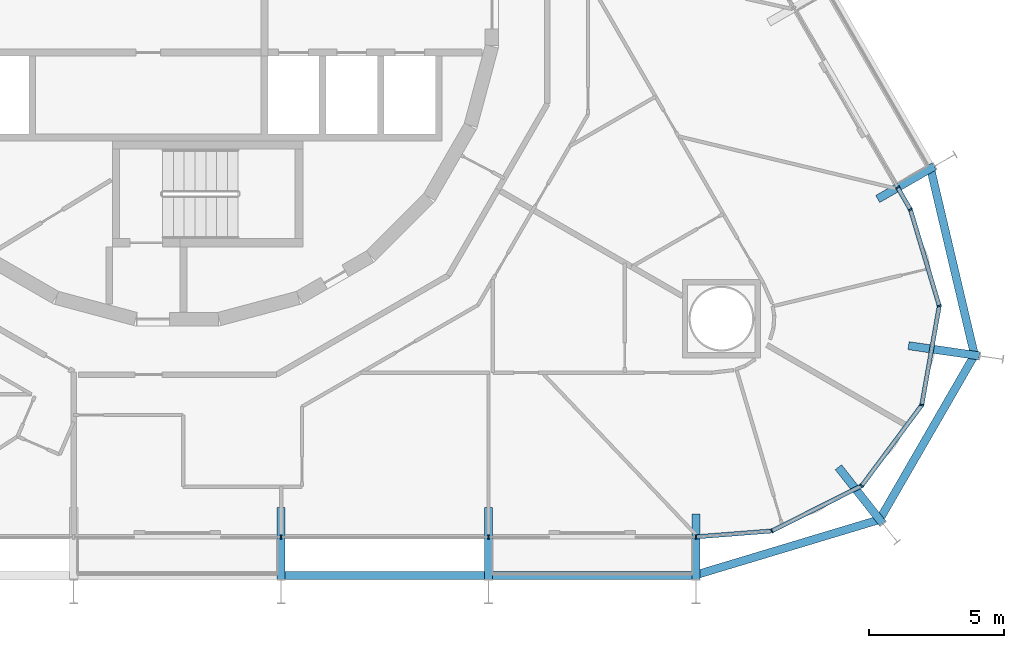
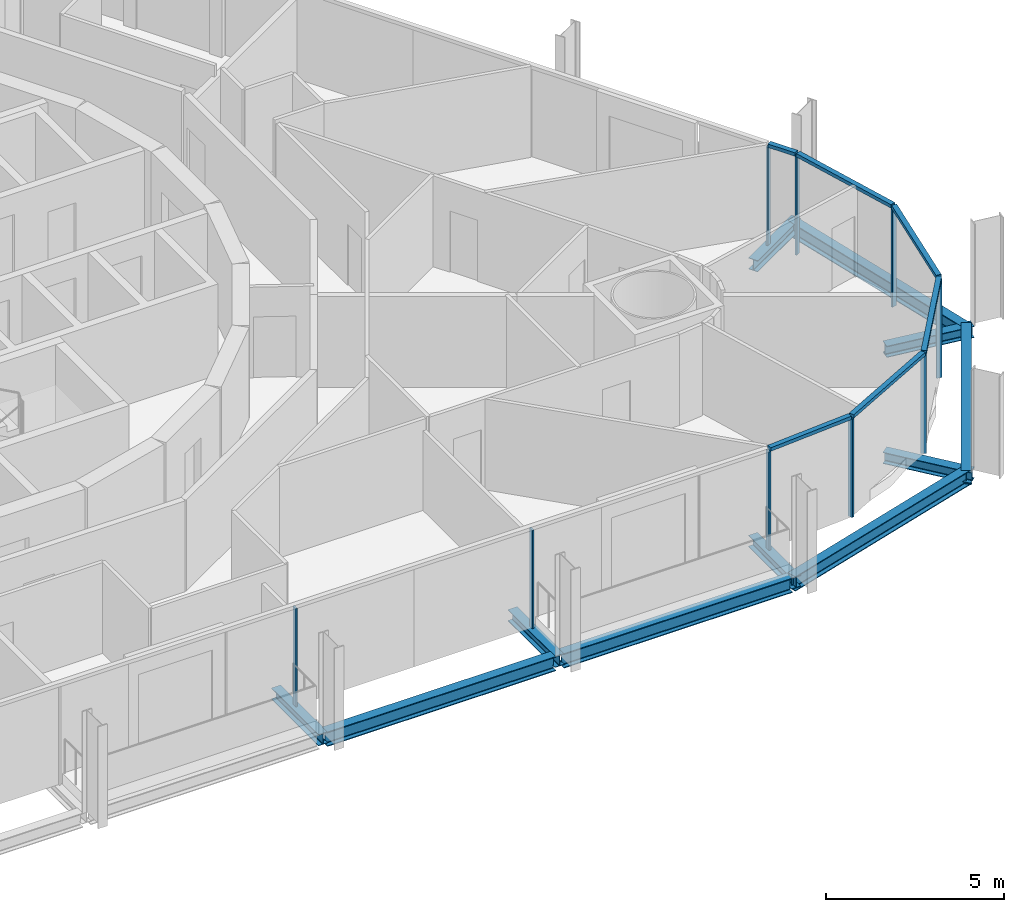
# One storey, part 6 of 21: 15 members, 11 beams, 3 elements without a shape of their own.
"""IFC4 building model written with IfcOpenShell, lengths in metres."""

from ifc_helpers import new_model, si_unit, direction, frame, origin, origin_2d, place, context, subcontext, project, spatial, rectangle, i_section, extrude, material, layer, layer_set, material_profile, profile_set, type_object, element, aggregate, save


model = new_model("IFC4")

# Units and contexts
model_context = context("Model", 3, precision=1e-05, world=origin(), true_north=direction((0.0, 1.0)))
body_context = subcontext(model_context, "Body", "Model", "MODEL_VIEW")
ifc_project = project(units=[si_unit("LENGTHUNIT", "METRE"), si_unit("AREAUNIT", "SQUARE_METRE"), si_unit("VOLUMEUNIT", "CUBIC_METRE"), si_unit("PLANEANGLEUNIT", "RADIAN"), si_unit("MASSUNIT", "GRAM", prefix="KILO")], contexts=[model_context])

# Site, building, storey
site_placement = place(None, origin())
site = spatial("IfcSite", under=ifc_project, at=site_placement, CompositionType="ELEMENT")
building_placement = place(site_placement, origin())
building = spatial("IfcBuilding", under=site, at=building_placement, Name="Spindle Arch Residences", CompositionType="ELEMENT")
storey_placement = place(building_placement, frame((0.0, 0.0, 55.89990234375)))
storey = spatial("IfcBuildingStorey", under=building, at=storey_placement, Name="L12", CompositionType="ELEMENT", Elevation=55.89990234375)

# Curtain wall, members
ifc_material_1 = material(Name="Aluminium bronze unitised frame with tinted glass", Category="aluminium")
ifc_layer_1 = layer(ifc_material_1, 0.159912109375)
ifc_layer_set_1 = layer_set([ifc_layer_1], Name="CW-D corner wall on the fillet arcs")
curtain_wall_type_1 = type_object("IfcCurtainWallType", Name="CW-D corner wall on the fillet arcs", PredefinedType="NOTDEFINED", material=ifc_layer_set_1)
curtain_wall_1_placement = place(storey_placement, origin())
curtain_wall_1 = element("IfcCurtainWall", 1, at=curtain_wall_1_placement, inside=storey, type_object=curtain_wall_type_1, Name="CW-D L12 run 1", PredefinedType="NOTDEFINED")
ifc_material_2 = material(Name="Aluminium bronze anodised mullion", Category="aluminium")
ifc_material_profile_1 = material_profile(ifc_material_2, rectangle(XDim=0.159912109375, YDim=0.06005859375, at=origin_2d()), Name="MU 60x160")
ifc_profile_set_1 = profile_set([ifc_material_profile_1], Name="Aluminium bronze anodised mullion")
member_type_1 = type_object("IfcMemberType", Name="Bronze mullion 60x160", PredefinedType="MULLION", material=ifc_profile_set_1)
member_1_placement = place(storey_placement, frame((19.2001953125, -19.7099609375, -0.3798828125), z_axis=(0.0, 0.0, 1.0), x_axis=(-0.077364085451, 0.997002907861, 0.0)))
member_1 = element("IfcMember", 2, at=member_1_placement, type_object=member_type_1, Name="CW-D mullion 00", PredefinedType="MULLION", context=body_context, shape_type="SweptSolid", body=[
    extrude(rectangle(XDim=0.159912109375, YDim=0.06005859375, at=origin_2d()), origin(), (0.0, 0.0, 1.0), 3.3798828125),
])
member_2_placement = place(storey_placement, frame((22.007080078125, -19.4921875, -0.3798828125), z_axis=(0.0, 0.0, 1.0), x_axis=(-0.448799176213, 0.893632642326, 0.0)))
member_2 = element("IfcMember", 3, at=member_2_placement, type_object=member_type_1, Name="CW-D mullion 01", PredefinedType="MULLION", context=body_context, shape_type="SweptSolid", body=[
    extrude(rectangle(XDim=0.159912109375, YDim=0.06005859375, at=origin_2d()), origin(), (0.0, 0.0, 1.0), 3.3798828125),
])
member_3_placement = place(storey_placement, frame((25.33740234375, -17.819580078125, -0.3798828125), z_axis=(0.0, 0.0, 1.0), x_axis=(-0.802123189687, 0.597158595823, 0.0)))
member_3 = element("IfcMember", 4, at=member_3_placement, type_object=member_type_1, Name="CW-D mullion 02", PredefinedType="MULLION", context=body_context, shape_type="SweptSolid", body=[
    extrude(rectangle(XDim=0.159912109375, YDim=0.06005859375, at=origin_2d()), origin(), (0.0, 0.0, 1.0), 3.3798828125),
])
member_4_placement = place(storey_placement, frame((27.562744140625, -14.830322265625, -0.3798828125), z_axis=(0.0, 0.0, 1.0), x_axis=(-0.984807752421, 0.173648181019, 0.0)))
member_4 = element("IfcMember", 5, at=member_4_placement, type_object=member_type_1, Name="CW-D mullion 03", PredefinedType="MULLION", context=body_context, shape_type="SweptSolid", body=[
    extrude(rectangle(XDim=0.159912109375, YDim=0.06005859375, at=origin_2d()), origin(), (0.0, 0.0, 1.0), 3.3798828125),
])
member_5_placement = place(storey_placement, frame((28.2099609375, -11.16015625, -0.3798828125), z_axis=(0.0, 0.0, 1.0), x_axis=(-0.957989512975, -0.28680323051, 0.0)))
member_5 = element("IfcMember", 6, at=member_5_placement, type_object=member_type_1, Name="CW-D mullion 04", PredefinedType="MULLION", context=body_context, shape_type="SweptSolid", body=[
    extrude(rectangle(XDim=0.159912109375, YDim=0.06005859375, at=origin_2d()), origin(), (0.0, 0.0, 1.0), 3.3798828125),
])
member_6_placement = place(storey_placement, frame((27.14111328125, -7.58984375, -0.3798828125), z_axis=(0.0, 0.0, 1.0), x_axis=(-0.866025403784, -0.5, 0.0)))
member_6 = element("IfcMember", 7, at=member_6_placement, type_object=member_type_1, Name="CW-D mullion 05", PredefinedType="MULLION", context=body_context, shape_type="SweptSolid", body=[
    extrude(rectangle(XDim=0.159912109375, YDim=0.06005859375, at=origin_2d()), origin(), (0.0, 0.0, 1.0), 3.3798828125),
])

# Curtain wall, member
ifc_material_3 = material(Name="Aluminium bronze unitised frame with tinted glass", Category="aluminium")
ifc_layer_2 = layer(ifc_material_3, 0.159912109375)
ifc_layer_set_2 = layer_set([ifc_layer_2], Name="CW-C typical residential unitised wall")
curtain_wall_type_2 = type_object("IfcCurtainWallType", Name="CW-C typical residential unitised wall", PredefinedType="NOTDEFINED", material=ifc_layer_set_2)
curtain_wall_2_placement = place(storey_placement, origin())
curtain_wall_2 = element("IfcCurtainWall", 8, at=curtain_wall_2_placement, inside=storey, type_object=curtain_wall_type_2, Name="CW-C L12 run 2", PredefinedType="NOTDEFINED")
member_7_placement = place(storey_placement, frame((26.66943359375, -6.77294921875, -0.3798828125), z_axis=(0.0, 0.0, 1.0), x_axis=(-0.866025403784, -0.5, 0.0)))
member_7 = element("IfcMember", 9, at=member_7_placement, type_object=member_type_1, Name="CW-C mullion 05", PredefinedType="MULLION", context=body_context, shape_type="SweptSolid", body=[
    extrude(rectangle(XDim=0.159912109375, YDim=0.06005859375, at=origin_2d()), origin(), (0.0, 0.0, 1.0), 3.3798828125),
])
aggregate(curtain_wall_2, [member_7])

# Curtain wall, members
curtain_wall_3_placement = place(storey_placement, origin())
curtain_wall_3 = element("IfcCurtainWall", 10, at=curtain_wall_3_placement, inside=storey, type_object=curtain_wall_type_2, Name="CW-C L12 run 6", PredefinedType="NOTDEFINED")
member_8_placement = place(storey_placement, frame((3.840087890625, -19.7099609375, -0.3798828125), z_axis=(0.0, 0.0, 1.0), x_axis=(0.0, 1.0, 0.0)))
member_8 = element("IfcMember", 11, at=member_8_placement, type_object=member_type_1, Name="CW-C mullion 00", PredefinedType="MULLION", context=body_context, shape_type="SweptSolid", body=[
    extrude(rectangle(XDim=0.159912109375, YDim=0.06005859375, at=origin_2d()), origin(), (0.0, 0.0, 1.0), 3.3798828125),
])
member_9_placement = place(storey_placement, frame((11.52001953125, -19.7099609375, -0.3798828125), z_axis=(0.0, 0.0, 1.0), x_axis=(0.0, 1.0, 0.0)))
member_9 = element("IfcMember", 12, at=member_9_placement, type_object=member_type_1, Name="CW-C mullion 01", PredefinedType="MULLION", context=body_context, shape_type="SweptSolid", body=[
    extrude(rectangle(XDim=0.159912109375, YDim=0.06005859375, at=origin_2d()), origin(), (0.0, 0.0, 1.0), 3.3798828125),
])
aggregate(curtain_wall_3, [member_8, member_9])

# Member
ifc_material_4 = material(Name="Aluminium bronze anodised transom", Category="aluminium")
ifc_material_profile_2 = material_profile(ifc_material_4, rectangle(XDim=0.159912109375, YDim=0.1201171875, at=origin_2d()), Name="TR 120x160")
ifc_profile_set_2 = profile_set([ifc_material_profile_2], Name="Aluminium bronze anodised transom")
member_type_2 = type_object("IfcMemberType", Name="Bronze transom 120x160", PredefinedType="USERDEFINED", material=ifc_profile_set_2)
member_10_placement = place(storey_placement, frame((19.22998046875, -19.70751953125, 3.06005859375), z_axis=(0.997003710875, 0.077353736189, 0.0), x_axis=(-0.077353736189, 0.997003710875, 0.0)))
member_10 = element("IfcMember", 13, at=member_10_placement, type_object=member_type_2, Name="CW-D transom 00", ObjectType="TRANSOM", PredefinedType="USERDEFINED", context=body_context, shape_type="SweptSolid", body=[
    extrude(rectangle(XDim=0.159912109375, YDim=0.1201171875, at=origin_2d()), origin(), (0.0, 0.0, 1.0), 2.75537109375),
])

member_11_placement = place(storey_placement, frame((22.03369140625, -19.478759765625, 3.06005859375), z_axis=(0.893626812559, 0.448810784046, 0.0), x_axis=(-0.448810784046, 0.893626812559, 0.0)))
member_11 = element("IfcMember", 14, at=member_11_placement, type_object=member_type_2, Name="CW-D transom 01", ObjectType="TRANSOM", PredefinedType="USERDEFINED", context=body_context, shape_type="SweptSolid", body=[
    extrude(rectangle(XDim=0.159912109375, YDim=0.1201171875, at=origin_2d()), origin(), (0.0, 0.0, 1.0), 3.6669921875),
])

member_12_placement = place(storey_placement, frame((25.355224609375, -17.79541015625, 3.06005859375), z_axis=(0.597173190998, 0.802112323776, 0.0), x_axis=(-0.802112323776, 0.597173190998, 0.0)))
member_12 = element("IfcMember", 15, at=member_12_placement, type_object=member_type_2, Name="CW-D transom 02", ObjectType="TRANSOM", PredefinedType="USERDEFINED", context=body_context, shape_type="SweptSolid", body=[
    extrude(rectangle(XDim=0.159912109375, YDim=0.1201171875, at=origin_2d()), origin(), (0.0, 0.0, 1.0), 3.666748046875),
])

member_13_placement = place(storey_placement, frame((27.56787109375, -14.80078125, 3.06005859375), z_axis=(0.173709368694, 0.984796961423, 0.0), x_axis=(-0.984796961423, 0.173709368694, 0.0)))
member_13 = element("IfcMember", 16, at=member_13_placement, type_object=member_type_2, Name="CW-D transom 03", ObjectType="TRANSOM", PredefinedType="USERDEFINED", context=body_context, shape_type="SweptSolid", body=[
    extrude(rectangle(XDim=0.159912109375, YDim=0.1201171875, at=origin_2d()), origin(), (0.0, 0.0, 1.0), 3.666748046875),
])

member_14_placement = place(storey_placement, frame((28.201416015625, -11.13134765625, 3.06005859375), z_axis=(-0.286834736274, 0.957980080203, 0.0), x_axis=(-0.957980080203, -0.286834736274, 0.0)))
member_14 = element("IfcMember", 17, at=member_14_placement, type_object=member_type_2, Name="CW-D transom 04", ObjectType="TRANSOM", PredefinedType="USERDEFINED", context=body_context, shape_type="SweptSolid", body=[
    extrude(rectangle(XDim=0.159912109375, YDim=0.1201171875, at=origin_2d()), origin(), (0.0, 0.0, 1.0), 3.666748046875),
])

member_15_placement = place(storey_placement, frame((27.1259765625, -7.56396484375, 3.06005859375), z_axis=(-0.499913830031, 0.866075148324, 0.0), x_axis=(-0.866075148324, -0.499913830031, 0.0)))
member_15 = element("IfcMember", 18, at=member_15_placement, type_object=member_type_2, Name="CW-D transom 05", ObjectType="TRANSOM", PredefinedType="USERDEFINED", context=body_context, shape_type="SweptSolid", body=[
    extrude(rectangle(XDim=0.159912109375, YDim=0.1201171875, at=origin_2d()), origin(), (0.0, 0.0, 1.0), 0.883544921875),
])

aggregate(curtain_wall_1, [member_1, member_10, member_2, member_11, member_3, member_12, member_4, member_13, member_5, member_14, member_6, member_15])

# Beams
ifc_material_5 = material(Name="Steel S460ML, intumescent coating R 120", Category="steel")
ifc_material_profile_3 = material_profile(ifc_material_5, i_section(OverallWidth=0.300048828125, OverallDepth=0.5, WebThickness=0.014404296875, FlangeThickness=0.028076171875, FilletRadius=0.027099609375, at=origin_2d()), Name="HEB 500")
ifc_profile_set_3 = profile_set([ifc_material_profile_3], Name="Steel S460ML, intumescent coating R 120")
beam_type_1 = type_object("IfcBeamType", Name="Exoskeleton edge beam HEB 500", PredefinedType="BEAM", material=ifc_profile_set_3)
for number, where, z_axis, x_axis, name in (
    (19, (3.969970703125, -21.142822265625, -0.6298828125), (1.0, 0.0, 0.0), (0.0, 1.0, 0.0), "Exoskeleton edge beam 1"),
    (20, (11.650146484375, -21.142822265625, -0.6298828125), (1.0, 0.0, 0.0), (0.0, 1.0, 0.0), "Exoskeleton edge beam 2"),
):
    element("IfcBeam", number, at=place(storey_placement, frame(where, z_axis=z_axis, x_axis=x_axis)), inside=storey, type_object=beam_type_1, Name=name, PredefinedType="BEAM", context=body_context, shape_type="SweptSolid", body=[
        extrude(i_section(OverallWidth=0.300048828125, OverallDepth=0.5, WebThickness=0.014404296875, FlangeThickness=0.028076171875, FilletRadius=0.027099609375, at=origin_2d()), origin(), (0.0, 0.0, 1.0), 7.420166015625),
    ])
beam_1_placement = place(storey_placement, frame((19.132568359375, -21.1376953125, -0.6298828125), z_axis=(0.95756732363, 0.288209681856, 0.0), x_axis=(-0.288209681856, 0.95756732363, 0.0)))
element("IfcBeam", 21, at=beam_1_placement, inside=storey, type_object=beam_type_1, Name="Exoskeleton edge beam 3", PredefinedType="BEAM", context=body_context, shape_type="SweptSolid", body=[
    extrude(i_section(OverallWidth=0.300048828125, OverallDepth=0.5, WebThickness=0.014404296875, FlangeThickness=0.028076171875, FilletRadius=0.027099609375, at=origin_2d()), origin(), (0.0, 0.0, 1.0), 7.250244140625),
])
beam_2_placement = place(storey_placement, frame((25.9482421875, -19.1591796875, -0.6298828125), z_axis=(0.499999897272, 0.866025463095, 0.0), x_axis=(-0.866025463095, 0.499999897272, 0.0)))
element("IfcBeam", 22, at=beam_2_placement, inside=storey, type_object=beam_type_1, Name="Exoskeleton edge beam 4", PredefinedType="BEAM", context=body_context, shape_type="SweptSolid", body=[
    extrude(i_section(OverallWidth=0.300048828125, OverallDepth=0.5, WebThickness=0.014404296875, FlangeThickness=0.028076171875, FilletRadius=0.027099609375, at=origin_2d()), origin(), (0.0, 0.0, 1.0), 7.236328125),
])
beam_3_placement = place(storey_placement, frame((29.53369140625, -13.0576171875, -0.6298828125), z_axis=(-0.229185730541, 0.973382710406, 0.0), x_axis=(-0.973382710406, -0.229185730541, 0.0)))
element("IfcBeam", 23, at=beam_3_placement, inside=storey, type_object=beam_type_1, Name="Exoskeleton edge beam 5", PredefinedType="BEAM", context=body_context, shape_type="SweptSolid", body=[
    extrude(i_section(OverallWidth=0.300048828125, OverallDepth=0.5, WebThickness=0.014404296875, FlangeThickness=0.028076171875, FilletRadius=0.027099609375, at=origin_2d()), origin(), (0.0, 0.0, 1.0), 7.25),
])
ifc_material_6 = material(Name="Steel S460ML, intumescent coating R 120", Category="steel")
ifc_material_profile_4 = material_profile(ifc_material_6, i_section(OverallWidth=0.300048828125, OverallDepth=0.389892578125, WebThickness=0.010986328125, FlangeThickness=0.01904296875, FilletRadius=0.027099609375, at=origin_2d()), Name="HEA 400")
ifc_profile_set_4 = profile_set([ifc_material_profile_4], Name="Steel S460ML, intumescent coating R 120")
beam_type_2 = type_object("IfcBeamType", Name="Floor outrigger HEA 400", PredefinedType="BEAM", material=ifc_profile_set_4)
for number, where, z_axis, x_axis, name in (
    (24, (3.840087890625, -21.27978515625, -0.574951171875), (0.0, 1.0, 0.0), (-1.0, 0.0, 0.0), "Floor outrigger 1"),
    (25, (11.52001953125, -21.27978515625, -0.574951171875), (0.0, 1.0, 0.0), (-1.0, 0.0, 0.0), "Floor outrigger 2"),
):
    element("IfcBeam", number, at=place(storey_placement, frame(where, z_axis=z_axis, x_axis=x_axis)), inside=storey, type_object=beam_type_2, Name=name, PredefinedType="BEAM", context=body_context, shape_type="SweptSolid", body=[
        extrude(i_section(OverallWidth=0.300048828125, OverallDepth=0.389892578125, WebThickness=0.010986328125, FlangeThickness=0.01904296875, FilletRadius=0.027099609375, at=origin_2d()), origin(), (0.0, 0.0, 1.0), 2.64990234375),
    ])
beam_4_placement = place(storey_placement, frame((19.2001953125, -21.27978515625, -0.574951171875), z_axis=(0.0, 1.0, 0.0), x_axis=(-1.0, 0.0, 0.0)))
element("IfcBeam", 26, at=beam_4_placement, inside=storey, type_object=beam_type_2, Name="Floor outrigger 3", PredefinedType="BEAM", context=body_context, shape_type="SweptSolid", body=[
    extrude(i_section(OverallWidth=0.300048828125, OverallDepth=0.389892578125, WebThickness=0.010986328125, FlangeThickness=0.01904296875, FilletRadius=0.027099609375, at=origin_2d()), origin(), (0.0, 0.0, 1.0), 2.42333984375),
])
for number, where, z_axis, x_axis, name in (
    (27, (26.11328125, -19.211669921875, -0.574951171875), (-0.618586231558, 0.785716917297, 0.0), (-0.785716917297, -0.618586231558, 0.0), "Floor outrigger 4"),
    (28, (29.694580078125, -13.009033203125, -0.574951171875), (-0.989738348309, 0.142891573883, 0.0), (-0.142891573883, -0.989738348309, 0.0), "Floor outrigger 5"),
):
    element("IfcBeam", number, at=place(storey_placement, frame(where, z_axis=z_axis, x_axis=x_axis)), inside=storey, type_object=beam_type_2, Name=name, PredefinedType="BEAM", context=body_context, shape_type="SweptSolid", body=[
        extrude(i_section(OverallWidth=0.300048828125, OverallDepth=0.389892578125, WebThickness=0.010986328125, FlangeThickness=0.01904296875, FilletRadius=0.027099609375, at=origin_2d()), origin(), (0.0, 0.0, 1.0), 2.64990234375),
    ])
beam_5_placement = place(storey_placement, frame((28.029052734375, -5.98779296875, -0.574951171875), z_axis=(-0.866002732682, -0.500039265445, 0.0), x_axis=(0.500039265445, -0.866002732682, 0.0)))
element("IfcBeam", 29, at=beam_5_placement, inside=storey, type_object=beam_type_2, Name="Floor outrigger 6", PredefinedType="BEAM", context=body_context, shape_type="SweptSolid", body=[
    extrude(i_section(OverallWidth=0.300048828125, OverallDepth=0.389892578125, WebThickness=0.010986328125, FlangeThickness=0.01904296875, FilletRadius=0.027099609375, at=origin_2d()), origin(), (0.0, 0.0, 1.0), 2.423583984375),
])

save(model, "model.ifc")
